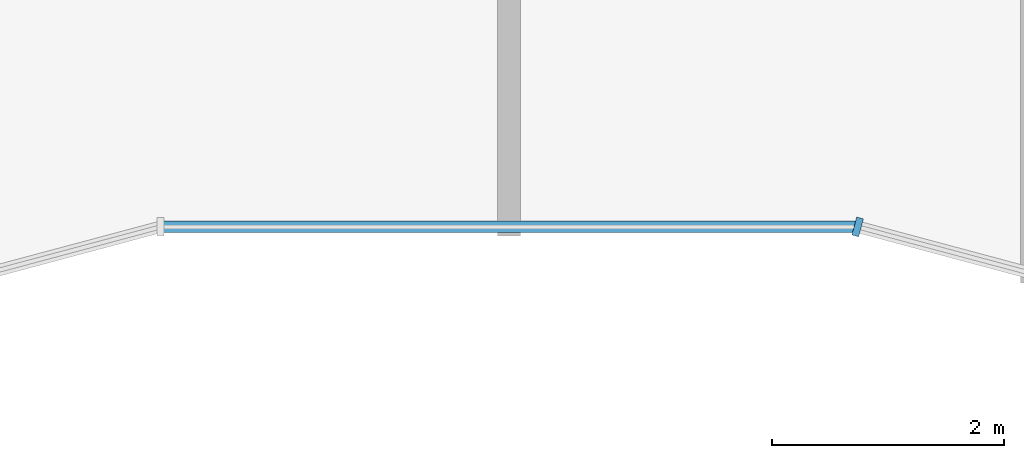
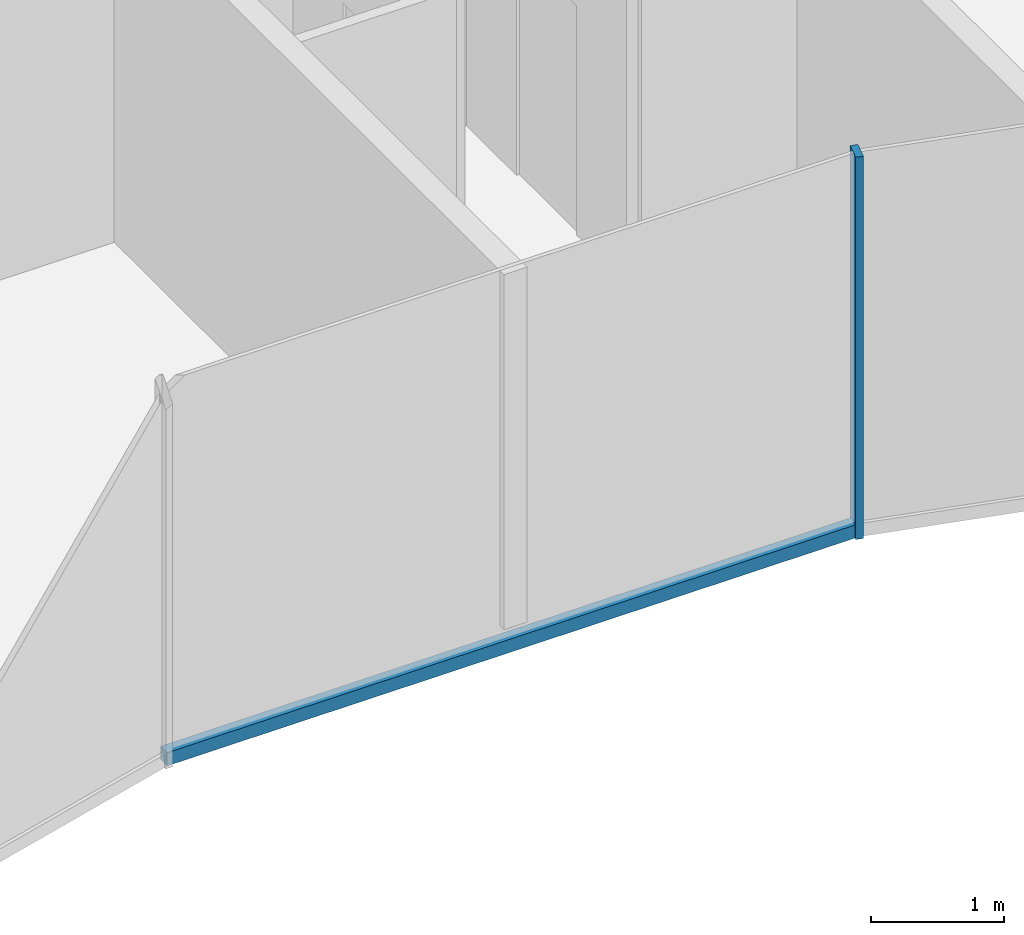
# One storey, part 3 of 10: 2 members, 2 elements without a shape of their own.
"""IFC4 building model written with IfcOpenShell, lengths in metres."""

import ifcopenshell
import ifcopenshell.guid

model = None  # the IFC model being written
_history = None  # IfcOwnerHistory: only IFC2X3 demands one
_inside = {}  # id of a spatial element -> (the spatial element, [elements in it])
_under = {}  # id of a project, library or spatial element -> (it, [spatial elements below it])
_declared = {}  # id of a project -> (the project, [libraries it declares])
_typed = {}  # id of a type object -> (the type object, [elements of that type])
_made_of = {}  # id of a material, layer set ... -> (it, [elements and type objects made of it])


def new_model(schema):
    """Start an empty IFC model of exactly this schema.

    Asked for "IFC4X3", IfcOpenShell would pick the latest addendum, in which some entities
    have other attributes; the version numbers below select the first issue.
    IFC2X3 requires an IfcOwnerHistory on every rooted entity: one is made here for all.
    """
    global model, _history
    if schema == "IFC4X3":
        model = ifcopenshell.file(schema_version=(4, 3, 0, 0))
    else:
        model = ifcopenshell.file(schema=schema)
    _inside.clear()
    _under.clear()
    _declared.clear()
    _typed.clear()
    _made_of.clear()
    _history = None
    if model.schema == "IFC2X3":
        org = make("IfcOrganization", Name="unknown")
        user = make(
            "IfcPersonAndOrganization",
            ThePerson=make("IfcPerson", FamilyName="unknown"),
            TheOrganization=org,
        )
        app = make(
            "IfcApplication",
            ApplicationDeveloper=org,
            Version="unknown",
            ApplicationFullName="unknown",
            ApplicationIdentifier="unknown",
        )
        _history = make(
            "IfcOwnerHistory",
            OwningUser=user,
            OwningApplication=app,
            ChangeAction="ADDED",
            CreationDate=0,
        )
    return model


def make(cls, **values):
    """One entity of the class cls with the attributes given. An attribute that is None is left unset."""
    return model.create_entity(
        cls, **{name: value for name, value in values.items() if value is not None}
    )


def rooted(cls, **values):
    """An entity with a GlobalId (a new one), such as an element, a storey or a relation."""
    return make(cls, GlobalId=ifcopenshell.guid.new(), OwnerHistory=_history, **values)


def si_unit(unit_type, name, prefix=None):
    """IfcSIUnit, for example si_unit("LENGTHUNIT", "METRE", prefix="MILLI")."""
    return make("IfcSIUnit", UnitType=unit_type, Prefix=prefix, Name=name)


def assignment(units):
    """IfcUnitAssignment: the units of a project."""
    return None if units is None else make("IfcUnitAssignment", Units=units)


def point(xyz):
    """IfcCartesianPoint."""
    return None if xyz is None else make("IfcCartesianPoint", Coordinates=xyz)


def direction(xyz):
    """IfcDirection."""
    return None if xyz is None else make("IfcDirection", DirectionRatios=xyz)


def frame(location, z_axis=None, x_axis=None):
    """IfcAxis2Placement3D, a coordinate frame: its origin and axes. An axis left out is left unset."""
    return make(
        "IfcAxis2Placement3D",
        Location=point(location),
        Axis=direction(z_axis),
        RefDirection=direction(x_axis),
    )


def frame_2d(location, x_axis=None):
    """IfcAxis2Placement2D, a coordinate frame in the plane: its origin and x axis."""
    return make(
        "IfcAxis2Placement2D", Location=point(location), RefDirection=direction(x_axis)
    )


def origin():
    """The frame at (0, 0, 0) with its axes left unset."""
    return frame((0.0, 0.0, 0.0))


def origin_2d():
    """The frame at (0, 0) in the plane with its x axis left unset."""
    return frame_2d((0.0, 0.0))


def place(relative_to, where):
    """IfcLocalPlacement: puts the frame where relative to a parent placement (None: the world)."""
    return make(
        "IfcLocalPlacement", PlacementRelTo=relative_to, RelativePlacement=where
    )


def context(
    kind, dimensions, precision=None, world=None, true_north=None, identifier=None
):
    """IfcGeometricRepresentationContext, for example the 3D "Model" context."""
    return make(
        "IfcGeometricRepresentationContext",
        ContextIdentifier=identifier,
        ContextType=kind,
        CoordinateSpaceDimension=dimensions,
        Precision=precision,
        WorldCoordinateSystem=world,
        TrueNorth=true_north,
    )


def subcontext(parent, identifier, kind, view, scale=None):
    """IfcGeometricRepresentationSubContext, for example "Body" below "Model"."""
    return make(
        "IfcGeometricRepresentationSubContext",
        ContextIdentifier=identifier,
        ContextType=kind,
        ParentContext=parent,
        TargetScale=scale,
        TargetView=view,
    )


def project(units=None, contexts=None):
    """IfcProject with its units and contexts."""
    return rooted(
        "IfcProject",
        Name="project",
        RepresentationContexts=contexts,
        UnitsInContext=assignment(units),
    )


def spatial(cls, under=None, at=None, **own):
    """A site, building, storey or space (cls), placed at a placement, below another one or the project."""
    s = rooted(cls, ObjectPlacement=at, **own)
    if under is not None:
        _under.setdefault(under.id(), (under, []))[1].append(s)
    return s


def profile(cls, at=None, kind="AREA", **sizes):
    """A parametric profile (cls). Its sizes go by their IFC names, for example OverallWidth=200.0."""
    return make(cls, ProfileType=kind, Position=at, **sizes)


def rectangle(**sizes):
    """IfcRectangleProfileDef."""
    return profile("IfcRectangleProfileDef", **sizes)


def extrude(swept, where, along, depth):
    """IfcExtrudedAreaSolid: the profile swept, set in the frame where, extruded along a direction by depth."""
    return make(
        "IfcExtrudedAreaSolid",
        SweptArea=swept,
        Position=where,
        ExtrudedDirection=direction(along),
        Depth=depth,
    )


def shape(context_of_items, identifier, shape_type, items):
    """IfcShapeRepresentation: the items that make up one representation, for example the "Body"."""
    return make(
        "IfcShapeRepresentation",
        ContextOfItems=context_of_items,
        RepresentationIdentifier=identifier,
        RepresentationType=shape_type,
        Items=items,
    )


def material(Name=None, Category=None):
    """IfcMaterial."""
    return make("IfcMaterial", Name=Name, Category=Category)


def layer(
    of_material, thickness, ventilated=None, Name=None, Category=None, Priority=None
):
    """IfcMaterialLayer: one layer of a wall or slab, of a material (None: an air gap)."""
    return make(
        "IfcMaterialLayer",
        Material=of_material,
        LayerThickness=thickness,
        IsVentilated=ventilated,
        Name=Name,
        Category=Category,
        Priority=Priority,
    )


def layer_set(layers, Name=None):
    """IfcMaterialLayerSet."""
    return make("IfcMaterialLayerSet", MaterialLayers=layers, LayerSetName=Name)


def material_profile(
    of_material, cross_section, Name=None, Category=None, Priority=None
):
    """IfcMaterialProfile: a cross section and its material."""
    return make(
        "IfcMaterialProfile",
        Name=Name,
        Material=of_material,
        Profile=cross_section,
        Priority=Priority,
        Category=Category,
    )


def profile_set(profiles, Name=None, composite=None):
    """IfcMaterialProfileSet."""
    return make(
        "IfcMaterialProfileSet",
        Name=Name,
        MaterialProfiles=profiles,
        CompositeProfile=composite,
    )


def made_of(thing, what):
    """Note that an element or type object is made of a material, layer set ...; save() writes the relation."""
    if what is not None:
        _made_of.setdefault(what.id(), (what, []))[1].append(thing)
    return thing


def type_object(cls, material=None, **own):
    """A type object (cls), such as IfcWallType, which elements share."""
    return made_of(rooted(cls, **own), material)


def element(
    cls,
    number,
    at=None,
    inside=None,
    cuts=None,
    type_object=None,
    material=None,
    context=None,
    identifier="Body",
    shape_type=None,
    held_by="IfcProductDefinitionShape",
    body=None,
    shapes=None,
    **own,
):
    """One element of the class cls, such as IfcWall. Its Tag is "e" and its number.

    at: its placement. inside: the storey or other place that contains it. cuts: it is an
    opening in that element (IfcRelVoidsElement). A single representation is given by context,
    identifier, shape_type and body (its items); several are given by shapes. held_by: the class
    of the entity that holds the representations. save() writes the other relations.
    """
    e = rooted(cls, Tag="e%d" % number, ObjectPlacement=at, **own)
    if body is not None:
        shapes = [shape(context, identifier, shape_type, body)]
    if shapes is not None:
        e.Representation = make(held_by, Representations=shapes)
    if inside is not None:
        _inside.setdefault(inside.id(), (inside, []))[1].append(e)
    if cuts is not None:
        rooted(
            "IfcRelVoidsElement", RelatingBuildingElement=cuts, RelatedOpeningElement=e
        )
    if type_object is not None:
        _typed.setdefault(type_object.id(), (type_object, []))[1].append(e)
    return made_of(e, material)


def aggregate(whole, parts):
    """IfcRelAggregates: a whole, such as a stair, and the parts it consists of."""
    return rooted("IfcRelAggregates", RelatingObject=whole, RelatedObjects=parts)


def save(model, path):
    """Write the relations noted so far, then the file.

    IfcRelAggregates (storeys below a building ...), IfcRelContainedInSpatialStructure (elements
    in a storey), IfcRelDefinesByType, IfcRelAssociatesMaterial and IfcRelDeclares: one each for
    every whole, place, type object, material and project.
    """
    for whole, parts in _under.values():
        aggregate(whole, parts)
    for where, things in _inside.values():
        rooted(
            "IfcRelContainedInSpatialStructure",
            RelatedElements=things,
            RelatingStructure=where,
        )
    for kind, things in _typed.values():
        rooted("IfcRelDefinesByType", RelatedObjects=things, RelatingType=kind)
    for what, things in _made_of.values():
        rooted("IfcRelAssociatesMaterial", RelatedObjects=things, RelatingMaterial=what)
    for by, libraries in _declared.values():
        rooted("IfcRelDeclares", RelatingContext=by, RelatedDefinitions=libraries)
    model.write(path)


model = new_model("IFC4")

# Units and contexts
model_context = context("Model", 3, precision=1e-05, world=origin(), true_north=direction((0.0, 1.0)))
body_context = subcontext(model_context, "Body", "Model", "MODEL_VIEW")
ifc_project = project(units=[si_unit("LENGTHUNIT", "METRE"), si_unit("AREAUNIT", "SQUARE_METRE"), si_unit("VOLUMEUNIT", "CUBIC_METRE"), si_unit("PLANEANGLEUNIT", "RADIAN"), si_unit("MASSUNIT", "GRAM", prefix="KILO")], contexts=[model_context])

# Site, building, storey
site_placement = place(None, origin())
site = spatial("IfcSite", under=ifc_project, at=site_placement, CompositionType="ELEMENT")
building_placement = place(site_placement, origin())
building = spatial("IfcBuilding", under=site, at=building_placement, Name="Plateau Cross Towers", CompositionType="ELEMENT")
storey_placement = place(building_placement, frame((0.0, 0.0, 263.39990234375)))
storey = spatial("IfcBuildingStorey", under=building, at=storey_placement, Name="L69", CompositionType="ELEMENT", Elevation=263.39990234375)

# Curtain wall, member
ifc_material_1 = material(Name="Dark low-iron glass", Category="glass")
ifc_layer = layer(ifc_material_1, 0.260009765625)
ifc_layer_set = layer_set([ifc_layer], Name="Dark low-iron glass")
curtain_wall_type = type_object("IfcCurtainWallType", Name="Curtain wall fluted unitised CW-A", PredefinedType="NOTDEFINED", material=ifc_layer_set)
curtain_wall_1_placement = place(storey_placement, origin())
curtain_wall_1 = element("IfcCurtainWall", 1, at=curtain_wall_1_placement, inside=storey, type_object=curtain_wall_type, Name="ENV/A/L69/A300_16", PredefinedType="NOTDEFINED")
ifc_material_2 = material(Name="Black anodised aluminium", Category="aluminium")
ifc_material_profile_1 = material_profile(ifc_material_2, rectangle(XDim=0.06005859375, YDim=0.159912109375, at=origin_2d()), Name="MULLION 60x160")
ifc_profile_set_1 = profile_set([ifc_material_profile_1], Name="Black anodised aluminium")
member_type_1 = type_object("IfcMemberType", Name="Mullion 60x160 fluted unitised", PredefinedType="MULLION", material=ifc_profile_set_1)
member_1_placement = place(storey_placement, frame((30.0, 1.60693359375, -0.25), z_axis=(0.0, 0.0, 1.0), x_axis=(0.965957983404, -0.258699003279, 0.0)))
member_1 = element("IfcMember", 2, at=member_1_placement, type_object=member_type_1, Name="CW-A mullion 1", PredefinedType="MULLION", context=body_context, shape_type="SweptSolid", body=[
    extrude(rectangle(XDim=0.06005859375, YDim=0.159912109375, at=origin_2d()), origin(), (0.0, 0.0, 1.0), 3.5),
])
aggregate(curtain_wall_1, [member_1])

curtain_wall_2_placement = place(storey_placement, origin())
curtain_wall_2 = element("IfcCurtainWall", 3, at=curtain_wall_2_placement, inside=storey, type_object=curtain_wall_type, Name="ENV/A/L69/A240_16", PredefinedType="NOTDEFINED")
ifc_material_profile_2 = material_profile(ifc_material_2, rectangle(XDim=0.10009765625, YDim=0.1201171875, at=origin_2d()), Name="TRANSOM 100x120")
ifc_profile_set_2 = profile_set([ifc_material_profile_2], Name="Black anodised aluminium")
member_type_2 = type_object("IfcMemberType", Name="Transom 100x120 fluted unitised", PredefinedType="USERDEFINED", material=ifc_profile_set_2)
member_2_placement = place(storey_placement, frame((24.0, 1.60693359375, -0.18994140625), z_axis=(1.0, 0.0, 0.0), x_axis=(0.0, 1.0, 0.0)))
member_2 = element("IfcMember", 4, at=member_2_placement, type_object=member_type_2, Name="CW-A transom", ObjectType="TRANSOM", PredefinedType="USERDEFINED", context=body_context, shape_type="SweptSolid", body=[
    extrude(rectangle(XDim=0.10009765625, YDim=0.1201171875, at=origin_2d()), origin(), (0.0, 0.0, 1.0), 6.0),
])
aggregate(curtain_wall_2, [member_2])

save(model, "model.ifc")
